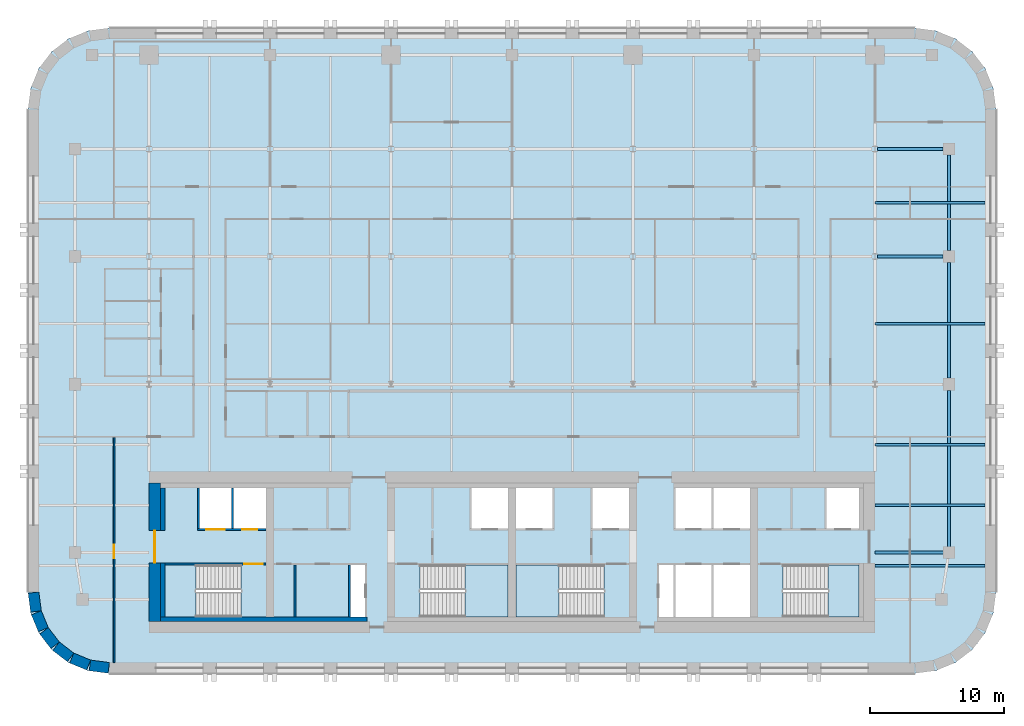
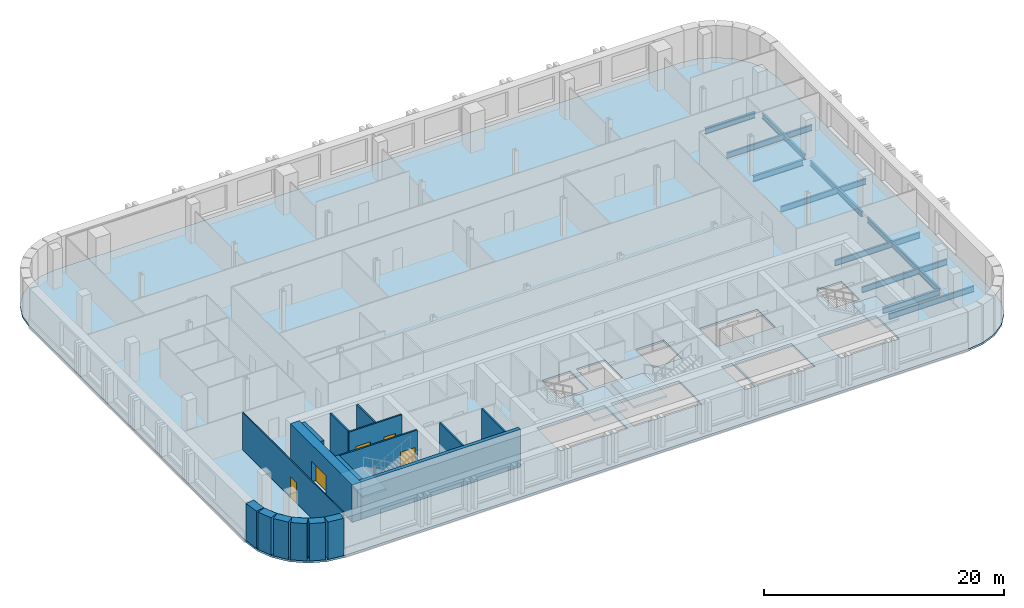
# One storey, part 2 of 9: 17 walls, 11 beams, 5 doors, 5 slabs, 5 openings, 4 elements without a shape of their own.
"""IFC4 building model written with IfcOpenShell, lengths in metres."""

from ifc_helpers import new_model, si_unit, direction, frame, frame_2d, origin, origin_2d, place, context, subcontext, project, spatial, polyline, rectangle, i_section, outline, extrude, material, layer, layer_set, material_profile, profile_set, type_object, element, fill, aggregate, save


model = new_model("IFC4")

# Units and contexts
model_context = context("Model", 3, precision=1e-05, world=origin(), true_north=direction((0.0, 1.0)))
body_context = subcontext(model_context, "Body", "Model", "MODEL_VIEW")
ifc_project = project(units=[si_unit("LENGTHUNIT", "METRE"), si_unit("AREAUNIT", "SQUARE_METRE"), si_unit("VOLUMEUNIT", "CUBIC_METRE"), si_unit("PLANEANGLEUNIT", "RADIAN"), si_unit("MASSUNIT", "GRAM", prefix="KILO")], contexts=[model_context])

# Site, building, storey
site_placement = place(None, origin())
site = spatial("IfcSite", under=ifc_project, at=site_placement, CompositionType="ELEMENT")
building_placement = place(site_placement, origin())
building = spatial("IfcBuilding", under=site, at=building_placement, Name="Zellij Exchange Tower", CompositionType="ELEMENT")
storey_placement = place(building_placement, frame((0.0, 0.0, 184.5)))
storey = spatial("IfcBuildingStorey", under=building, at=storey_placement, Name="L42", CompositionType="ELEMENT", Elevation=184.5)

# Beams
ifc_material_1 = material(Name="Structural steel ASTM A992 Gr 50", Category="steel")
ifc_material_profile_1 = material_profile(ifc_material_1, i_section(OverallWidth=0.177978515625, OverallDepth=0.599365234375, WebThickness=0.010009765625, FlangeThickness=0.012939453125, at=origin_2d()), Name="W24x55")
ifc_profile_set_1 = profile_set([ifc_material_profile_1], Name="Structural steel ASTM A992 Gr 50")
beam_type_1 = type_object("IfcBeamType", Name="STR-BEAM W24x55", PredefinedType="BEAM", material=ifc_profile_set_1)
for number, where, z_axis, x_axis, name in (
    (1, (27.0, -9.0, -0.499755859375), (1.0, 0.0, 0.0), (0.0, 1.0, 0.0), "B4"),
    (2, (27.0, -4.5, -0.499755859375), (1.0, 0.0, 0.0), (0.0, 1.0, 0.0), "B4"),
    (3, (27.0, 0.0, -0.499755859375), (1.0, 0.0, 0.0), (0.0, 1.0, 0.0), "B4"),
    (4, (27.0, 9.0, -0.499755859375), (1.0, 0.0, 0.0), (0.0, 1.0, 0.0), "B4"),
    (5, (27.0, 18.0, -0.499755859375), (1.0, 0.0, 0.0), (0.0, 1.0, 0.0), "B4"),
):
    element("IfcBeam", number, at=place(storey_placement, frame(where, z_axis=z_axis, x_axis=x_axis)), inside=storey, type_object=beam_type_1, Name=name, PredefinedType="BEAM", context=body_context, shape_type="SweptSolid", body=[
        extrude(i_section(OverallWidth=0.177978515625, OverallDepth=0.599365234375, WebThickness=0.010009765625, FlangeThickness=0.012939453125, at=origin_2d()), origin(), (0.0, 0.0, 1.0), 8.199951171875),
    ])
ifc_material_profile_2 = material_profile(ifc_material_1, i_section(OverallWidth=0.209228515625, OverallDepth=0.533447265625, WebThickness=0.01025390625, FlangeThickness=0.015625, at=origin_2d()), Name="W21x62")
ifc_profile_set_2 = profile_set([ifc_material_profile_2], Name="Structural steel ASTM A992 Gr 50")
beam_type_2 = type_object("IfcBeamType", Name="STR-EDGE GIRDER W21x62", PredefinedType="BEAM", material=ifc_profile_set_2)
beam_1_placement = place(storey_placement, frame((32.5, -8.0, -0.466796875), z_axis=(0.0, 1.0, 0.0), x_axis=(-1.0, 0.0, 0.0)))
element("IfcBeam", 6, at=beam_1_placement, inside=storey, type_object=beam_type_2, Name="EB3", PredefinedType="BEAM", context=body_context, shape_type="SweptSolid", body=[
    extrude(i_section(OverallWidth=0.209228515625, OverallDepth=0.533447265625, WebThickness=0.01025390625, FlangeThickness=0.015625, at=origin_2d()), origin(), (0.0, 0.0, 1.0), 12.050048828125),
])
beam_2_placement = place(storey_placement, frame((32.5, 4.949951171875, -0.466796875), z_axis=(0.0, 1.0, 0.0), x_axis=(-1.0, 0.0, 0.0)))
element("IfcBeam", 7, at=beam_2_placement, inside=storey, type_object=beam_type_2, Name="EB3", PredefinedType="BEAM", context=body_context, shape_type="SweptSolid", body=[
    extrude(i_section(OverallWidth=0.209228515625, OverallDepth=0.533447265625, WebThickness=0.01025390625, FlangeThickness=0.015625, at=origin_2d()), origin(), (0.0, 0.0, 1.0), 8.60009765625),
])
beam_3_placement = place(storey_placement, frame((32.5, 14.449951171875, -0.466796875), z_axis=(0.0, 1.0, 0.0), x_axis=(-1.0, 0.0, 0.0)))
element("IfcBeam", 8, at=beam_3_placement, inside=storey, type_object=beam_type_2, Name="EB3", PredefinedType="BEAM", context=body_context, shape_type="SweptSolid", body=[
    extrude(i_section(OverallWidth=0.209228515625, OverallDepth=0.533447265625, WebThickness=0.01025390625, FlangeThickness=0.015625, at=origin_2d()), origin(), (0.0, 0.0, 1.0), 7.10009765625),
])
ifc_material_profile_3 = material_profile(ifc_material_1, i_section(OverallWidth=0.228271484375, OverallDepth=0.607177734375, WebThickness=0.01123046875, FlangeThickness=0.017333984375, at=origin_2d()), Name="W24x76")
ifc_profile_set_3 = profile_set([ifc_material_profile_3], Name="Structural steel ASTM A992 Gr 50")
beam_type_3 = type_object("IfcBeamType", Name="STR-GIRDER W24x76", PredefinedType="BEAM", material=ifc_profile_set_3)
beam_4_placement = place(storey_placement, frame((27.0, -8.0, -0.50341796875), z_axis=(1.0, 0.0, 0.0), x_axis=(0.0, 1.0, 0.0)))
element("IfcBeam", 9, at=beam_4_placement, inside=storey, type_object=beam_type_3, Name="G2", PredefinedType="BEAM", context=body_context, shape_type="SweptSolid", body=[
    extrude(i_section(OverallWidth=0.228271484375, OverallDepth=0.607177734375, WebThickness=0.01123046875, FlangeThickness=0.017333984375, at=origin_2d()), origin(), (0.0, 0.0, 1.0), 5.5),
])
for number, where, z_axis, x_axis, name in (
    (10, (27.20458984375, 14.0, -0.50341796875), (1.0, 0.0, 0.0), (0.0, 1.0, 0.0), "G2"),
    (11, (27.20458984375, 22.0, -0.50341796875), (1.0, 0.0, 0.0), (0.0, 1.0, 0.0), "G2"),
):
    element("IfcBeam", number, at=place(storey_placement, frame(where, z_axis=z_axis, x_axis=x_axis)), inside=storey, type_object=beam_type_3, Name=name, PredefinedType="BEAM", context=body_context, shape_type="SweptSolid", body=[
        extrude(i_section(OverallWidth=0.228271484375, OverallDepth=0.607177734375, WebThickness=0.01123046875, FlangeThickness=0.017333984375, at=origin_2d()), origin(), (0.0, 0.0, 1.0), 4.845458984375),
    ])

# Stair, slab
ifc_material_2 = material(Name="Concrete C40/50", Category="concrete")
stair_type = type_object("IfcStairType", Name="CORE-ST exit stair 1850 wide", PredefinedType="HALF_TURN_STAIR", material=ifc_material_2)
stair_1_placement = place(storey_placement, origin())
stair_1 = element("IfcStair", 12, at=stair_1_placement, inside=storey, type_object=stair_type, Name="L42 exit stair ST1", PredefinedType="HALF_TURN_STAIR")
ifc_layer_1 = layer(ifc_material_2, 0.199951171875)
ifc_layer_set_1 = layer_set([ifc_layer_1], Name="Concrete C40/50")
slab_type_1 = type_object("IfcSlabType", Name="CORE-SL stair landing 200", PredefinedType="LANDING", material=ifc_layer_set_1)
slab_1_placement = place(storey_placement, frame((0.0, 0.0, 1.800048828125)))
slab_1 = element("IfcSlab", 13, at=slab_1_placement, type_object=slab_type_1, Name="ST1 landing 1", PredefinedType="LANDING", context=body_context, shape_type="SweptSolid", body=[
    extrude(outline(polyline([(-23.510009765625, -8.949951171875), (-25.800048828125, -8.949951171875), (-25.800048828125, -12.800048828125), (-23.510009765625, -12.800048828125), (-23.510009765625, -8.949951171875)])), origin(), (0.0, 0.0, 1.0), 0.199951171875),
])
aggregate(stair_1, [slab_1])

stair_2_placement = place(storey_placement, origin())
stair_2 = element("IfcStair", 14, at=stair_2_placement, inside=storey, type_object=stair_type, Name="L42 exit stair ST2", PredefinedType="HALF_TURN_STAIR")
slab_2_placement = place(storey_placement, frame((0.0, 0.0, 1.800048828125)))
slab_2 = element("IfcSlab", 15, at=slab_2_placement, type_object=slab_type_1, Name="ST2 landing 1", PredefinedType="LANDING", context=body_context, shape_type="SweptSolid", body=[
    extrude(outline(polyline([(-3.489990234375, -12.800048828125), (-0.300048828125, -12.800048828125), (-0.300048828125, -8.949951171875), (-3.489990234375, -8.949951171875), (-3.489990234375, -12.800048828125)])), origin(), (0.0, 0.0, 1.0), 0.199951171875),
])
aggregate(stair_2, [slab_2])

stair_3_placement = place(storey_placement, origin())
stair_3 = element("IfcStair", 16, at=stair_3_placement, inside=storey, type_object=stair_type, Name="L42 exit stair ST3", PredefinedType="HALF_TURN_STAIR")
slab_3_placement = place(storey_placement, frame((0.0, 0.0, 1.800048828125)))
slab_3 = element("IfcSlab", 17, at=slab_3_placement, type_object=slab_type_1, Name="ST3 landing 1", PredefinedType="LANDING", context=body_context, shape_type="SweptSolid", body=[
    extrude(outline(polyline([(3.489990234375, -8.949951171875), (0.300048828125, -8.949951171875), (0.300048828125, -12.800048828125), (3.489990234375, -12.800048828125), (3.489990234375, -8.949951171875)])), origin(), (0.0, 0.0, 1.0), 0.199951171875),
])
aggregate(stair_3, [slab_3])

stair_4_placement = place(storey_placement, origin())
stair_4 = element("IfcStair", 18, at=stair_4_placement, inside=storey, type_object=stair_type, Name="L42 exit stair ST4", PredefinedType="HALF_TURN_STAIR")
slab_4_placement = place(storey_placement, frame((0.0, 0.0, 1.800048828125)))
slab_4 = element("IfcSlab", 19, at=slab_4_placement, type_object=slab_type_1, Name="ST4 landing 1", PredefinedType="LANDING", context=body_context, shape_type="SweptSolid", body=[
    extrude(outline(polyline([(23.510009765625, -12.800048828125), (25.800048828125, -12.800048828125), (25.800048828125, -8.949951171875), (23.510009765625, -8.949951171875), (23.510009765625, -12.800048828125)])), origin(), (0.0, 0.0, 1.0), 0.199951171875),
])
aggregate(stair_4, [slab_4])

# Slab
ifc_layer_2 = layer(ifc_material_2, 0.199951171875)
ifc_layer_set_2 = layer_set([ifc_layer_2], Name="Concrete C40/50")
slab_type_2 = type_object("IfcSlabType", Name="STR-FLOOR SLAB 200 C40/50", PredefinedType="FLOOR", material=ifc_layer_set_2)
slab_5_placement = place(storey_placement, frame((0.0, 0.0, -0.2001953125)))
element("IfcSlab", 20, at=slab_5_placement, inside=storey, type_object=slab_type_2, Name="Floor L42", PredefinedType="FLOOR", context=body_context, shape_type="SweptSolid", body=[
    extrude(outline(polyline([(-30.0, -17.0), (-31.552978515625, -16.795654296875), (-33.0, -16.1962890625), (-34.24267578125, -15.24267578125), (-35.1962890625, -14.0), (-35.795654296875, -12.552978515625), (-36.0, -11.0), (-36.0, 25.0), (-35.795654296875, 26.552978515625), (-35.1962890625, 28.0), (-34.24267578125, 29.24267578125), (-33.0, 30.1962890625), (-31.552978515625, 30.795654296875), (-30.0, 31.0), (30.0, 31.0), (31.552978515625, 30.795654296875), (33.0, 30.1962890625), (34.24267578125, 29.24267578125), (35.1962890625, 28.0), (35.795654296875, 26.552978515625), (36.0, 25.0), (36.0, -11.0), (35.795654296875, -12.552978515625), (35.1962890625, -14.0), (34.24267578125, -15.24267578125), (33.0, -16.1962890625), (31.552978515625, -16.795654296875), (30.0, -17.0), (-30.0, -17.0)]), holes=[polyline([(-25.800048828125, -8.949951171875), (-25.800048828125, -12.800048828125), (-20.153076171875, -12.800048828125), (-20.153076171875, -8.949951171875), (-25.800048828125, -8.949951171875)]), polyline([(-10.949951171875, -8.949951171875), (-12.0, -8.949951171875), (-12.0, -12.800048828125), (-10.949951171875, -12.800048828125), (-10.949951171875, -8.949951171875)]), polyline([(-0.300048828125, -8.949951171875), (-6.846923828125, -8.949951171875), (-6.846923828125, -12.800048828125), (-0.300048828125, -12.800048828125), (-0.300048828125, -8.949951171875)]), polyline([(0.300048828125, -8.949951171875), (0.300048828125, -12.800048828125), (6.846923828125, -12.800048828125), (6.846923828125, -8.949951171875), (0.300048828125, -8.949951171875)]), polyline([(-18.300048828125, -3.199951171875), (-23.25, -3.199951171875), (-23.25, -6.22509765625), (-18.300048828125, -6.22509765625), (-18.300048828125, -3.199951171875)]), polyline([(-0.300048828125, -3.199951171875), (-3.0, -3.199951171875), (-3.0, -6.22509765625), (-0.300048828125, -6.22509765625), (-0.300048828125, -3.199951171875)]), polyline([(0.300048828125, -3.199951171875), (0.300048828125, -6.22509765625), (3.0, -6.22509765625), (3.0, -3.199951171875), (0.300048828125, -3.199951171875)]), polyline([(12.0, -8.949951171875), (10.949951171875, -8.949951171875), (10.949951171875, -12.800048828125), (12.0, -12.800048828125), (12.0, -8.949951171875)]), polyline([(17.699951171875, -8.949951171875), (12.14990234375, -8.949951171875), (12.14990234375, -12.800048828125), (17.699951171875, -12.800048828125), (17.699951171875, -8.949951171875)]), polyline([(25.800048828125, -8.949951171875), (20.153076171875, -8.949951171875), (20.153076171875, -12.800048828125), (25.800048828125, -12.800048828125), (25.800048828125, -8.949951171875)]), polyline([(8.699951171875, -3.199951171875), (6.0, -3.199951171875), (6.0, -6.22509765625), (8.699951171875, -6.22509765625), (8.699951171875, -3.199951171875)]), polyline([(17.699951171875, -3.199951171875), (12.14990234375, -3.199951171875), (12.14990234375, -6.22509765625), (17.699951171875, -6.22509765625), (17.699951171875, -3.199951171875)]), polyline([(25.800048828125, -3.199951171875), (23.39990234375, -3.199951171875), (23.39990234375, -6.22509765625), (25.800048828125, -6.22509765625), (25.800048828125, -3.199951171875)])]), origin(), (0.0, 0.0, 1.0), 0.2001953125),
])

# Walls
ifc_material_3 = material(Name="Concrete C30/37", Category="concrete")
ifc_layer_3 = layer(ifc_material_3, 0.35009765625)
ifc_layer_set_3 = layer_set([ifc_layer_3], Name="Concrete C30/37")
wall_type_1 = type_object("IfcWallType", Name="CORE-LW 350 C30/37", PredefinedType="SHEAR", material=ifc_layer_set_3)
wall_1_placement = place(storey_placement, frame((-26.14990234375, -12.97509765625, 0.0), z_axis=(0.0, 0.0, 1.0), x_axis=(1.0, 0.0, 0.0)))
element("IfcWall", 21, at=wall_1_placement, inside=storey, type_object=wall_type_1, Name="Core wall lining rear.0 L42", PredefinedType="SHEAR", context=body_context, shape_type="SweptSolid", body=[
    extrude(rectangle(XDim=15.349853515625, YDim=0.35009765625, at=frame_2d((7.6748046875, 0.0))), origin(), (0.0, 0.0, 1.0), 3.800048828125),
])
wall_2_placement = place(storey_placement, frame((-25.97509765625, -12.800048828125, 0.0), z_axis=(0.0, 0.0, 1.0), x_axis=(0.0, 1.0, 0.0)))
element("IfcWall", 22, at=wall_2_placement, inside=storey, type_object=wall_type_1, Name="Core wall lining end w.0 L42", PredefinedType="SHEAR", context=body_context, shape_type="SweptSolid", body=[
    extrude(rectangle(XDim=4.0, YDim=0.35009765625, at=frame_2d((2.0, 0.0))), origin(), (0.0, 0.0, 1.0), 3.800048828125),
])
wall_3_placement = place(storey_placement, frame((-25.97509765625, -6.375, 0.0), z_axis=(0.0, 0.0, 1.0), x_axis=(0.0, 1.0, 0.0)))
element("IfcWall", 23, at=wall_3_placement, inside=storey, type_object=wall_type_1, Name="Core wall lining end w.1 L42", PredefinedType="SHEAR", context=body_context, shape_type="SweptSolid", body=[
    extrude(rectangle(XDim=3.175048828125, YDim=0.35009765625, at=frame_2d((1.58740234375, 0.0))), origin(), (0.0, 0.0, 1.0), 3.800048828125),
])
ifc_material_4 = material(Name="Gypsum board partition")
ifc_layer_4 = layer(ifc_material_4, 0.14990234375)
ifc_layer_set_4 = layer_set([ifc_layer_4], Name="Gypsum board partition")
wall_type_2 = type_object("IfcWallType", Name="CORE-PW 150 Lift lobby wall", PredefinedType="PARTITIONING", material=ifc_layer_set_4)
for number, where, z_axis, x_axis, name in (
    (24, (-12.074951171875, -12.800048828125, 0.0), (0.0, 0.0, 1.0), (0.0, 1.0, 0.0), "Lift lobby wall L42"),
    (25, (-16.125, -12.800048828125, 0.0), (0.0, 0.0, 1.0), (0.0, 1.0, 0.0), "Lift lobby wall L42"),
):
    element("IfcWall", number, at=place(storey_placement, frame(where, z_axis=z_axis, x_axis=x_axis)), inside=storey, type_object=wall_type_2, Name=name, PredefinedType="PARTITIONING", context=body_context, shape_type="SweptSolid", body=[
        extrude(rectangle(XDim=3.85009765625, YDim=0.14990234375, at=frame_2d((1.925048828125, 0.0))), origin(), (0.0, 0.0, 1.0), 3.800048828125),
    ])
ifc_material_5 = material(Name="Gypsum shaft wall system")
ifc_layer_5 = layer(ifc_material_5, 0.14990234375)
ifc_layer_set_5 = layer_set([ifc_layer_5], Name="Gypsum shaft wall system")
wall_type_3 = type_object("IfcWallType", Name="CORE-PW 150 Lift shaft wall", PredefinedType="PARTITIONING", material=ifc_layer_set_5)
for number, where, z_axis, x_axis, name in (
    (26, (-20.77490234375, -6.22509765625, 0.0), (0.0, 0.0, 1.0), (0.0, 1.0, 0.0), "Lift shaft wall L42"),
    (27, (-23.324951171875, -6.22509765625, 0.0), (0.0, 0.0, 1.0), (0.0, 1.0, 0.0), "Lift shaft wall L42"),
):
    element("IfcWall", number, at=place(storey_placement, frame(where, z_axis=z_axis, x_axis=x_axis)), inside=storey, type_object=wall_type_3, Name=name, PredefinedType="PARTITIONING", context=body_context, shape_type="SweptSolid", body=[
        extrude(rectangle(XDim=3.025146484375, YDim=0.14990234375, at=frame_2d((1.5126953125, 0.0))), origin(), (0.0, 0.0, 1.0), 3.800048828125),
    ])

# Wall, openings, doors
wall_4_placement = place(storey_placement, frame((-23.39990234375, -6.300048828125, 0.0), z_axis=(0.0, 0.0, 1.0), x_axis=(1.0, 0.0, 0.0)))
wall_4 = element("IfcWall", 28, at=wall_4_placement, inside=storey, type_object=wall_type_3, Name="Lift shaft wall L42", PredefinedType="PARTITIONING", context=body_context, shape_type="SweptSolid", body=[
    extrude(rectangle(XDim=5.099853515625, YDim=0.14990234375, at=frame_2d((2.5498046875, 0.0))), origin(), (0.0, 0.0, 1.0), 3.800048828125),
])
opening_1_placement = place(wall_4_placement, frame((0.64990234375, 0.0, 0.0)))
opening_1 = element("IfcOpeningElement", 29, at=opening_1_placement, cuts=wall_4, Name="Opening CA-23.02", PredefinedType="OPENING", context=body_context, shape_type="SweptSolid", body=[
    extrude(rectangle(XDim=1.39990234375, YDim=2.10009765625, at=frame_2d((0.699951171875, 1.050048828125))), frame((0.0, 0.0869140625, 0.0), z_axis=(0.0, -1.0, 0.0), x_axis=(1.0, 0.0, 0.0)), (0.0, 0.0, 1.0), 0.173828125),
])
opening_2_placement = place(wall_4_placement, frame((3.35009765625, 0.0, 0.0)))
opening_2 = element("IfcOpeningElement", 30, at=opening_2_placement, cuts=wall_4, Name="Opening CA-23.03", PredefinedType="OPENING", context=body_context, shape_type="SweptSolid", body=[
    extrude(rectangle(XDim=1.10009765625, YDim=2.10009765625, at=frame_2d((0.550048828125, 1.050048828125))), frame((0.0, 0.0869140625, 0.0), z_axis=(0.0, -1.0, 0.0), x_axis=(1.0, 0.0, 0.0)), (0.0, 0.0, 1.0), 0.173828125),
])
ifc_material_6 = material(Name="Hollow metal fire door")
door_type_1 = type_object("IfcDoorType", Name="CORE-D LD Lift landing door 1100x2100 1.5 HR", OperationType="NOTDEFINED", PredefinedType="DOOR", material=ifc_material_6)
door_1_placement = place(opening_2_placement, origin())
door_1 = element("IfcDoor", 31, at=door_1_placement, inside=storey, type_object=door_type_1, Name="Lift landing door CA-23.03", OperationType="SLIDING_TO_LEFT", OverallHeight=2.10009765625, OverallWidth=1.10009765625, PredefinedType="DOOR", context=body_context, shape_type="SweptSolid", body=[
    extrude(rectangle(XDim=1.10009765625, YDim=2.10009765625, at=frame_2d((0.550048828125, 1.050048828125))), frame((0.0, 0.02490234375, 0.0), z_axis=(0.0, -1.0, 0.0), x_axis=(1.0, 0.0, 0.0)), (0.0, 0.0, 1.0), 0.050048828125),
])
fill(opening_2, door_1)
door_type_2 = type_object("IfcDoorType", Name="CORE-D LD2 Service lift landing door 1400x2100 1.5 HR", OperationType="NOTDEFINED", PredefinedType="DOOR", material=ifc_material_6)
door_2_placement = place(opening_1_placement, origin())
door_2 = element("IfcDoor", 32, at=door_2_placement, inside=storey, type_object=door_type_2, Name="Service lift landing door CA-23.02", OperationType="SLIDING_TO_RIGHT", OverallHeight=2.10009765625, OverallWidth=1.39990234375, PredefinedType="DOOR", context=body_context, shape_type="SweptSolid", body=[
    extrude(rectangle(XDim=1.39990234375, YDim=2.10009765625, at=frame_2d((0.699951171875, 1.050048828125))), frame((0.0, 0.02490234375, 0.0), z_axis=(0.0, -1.0, 0.0), x_axis=(1.0, 0.0, 0.0)), (0.0, 0.0, 1.0), 0.050048828125),
])
fill(opening_1, door_2)

# Wall, opening, door
ifc_material_7 = material(Name="Concrete C60/75", Category="concrete")
ifc_layer_6 = layer(ifc_material_7, 0.85009765625)
ifc_layer_set_6 = layer_set([ifc_layer_6], Name="Concrete C60/75")
wall_type_4 = type_object("IfcWallType", Name="CORE-SW 850 C60/75", PredefinedType="SHEAR", material=ifc_layer_set_6)
wall_5_placement = place(storey_placement, frame((-26.574951171875, -13.14990234375, 0.0), z_axis=(0.0, 0.0, 1.0), x_axis=(0.0, 1.0, 0.0)))
wall_5 = element("IfcWall", 33, at=wall_5_placement, inside=storey, type_object=wall_type_4, Name="Core shear wall end w L42", PredefinedType="SHEAR", context=body_context, shape_type="SweptSolid", body=[
    extrude(rectangle(XDim=10.2998046875, YDim=0.85009765625, at=frame_2d((5.14990234375, 0.0))), origin(), (0.0, 0.0, 1.0), 3.800048828125),
])
opening_3_placement = place(wall_5_placement, frame((4.362060546875, 0.0, 0.0)))
opening_3 = element("IfcOpeningElement", 34, at=opening_3_placement, cuts=wall_5, Name="Opening CA-23.01", PredefinedType="OPENING", context=body_context, shape_type="SweptSolid", body=[
    extrude(rectangle(XDim=2.39990234375, YDim=2.10009765625, at=frame_2d((1.199951171875, 1.050048828125))), frame((0.0, 0.43701171875, 0.0), z_axis=(0.0, -1.0, 0.0), x_axis=(1.0, 0.0, 0.0)), (0.0, 0.0, 1.0), 0.8740234375),
])
door_type_3 = type_object("IfcDoorType", Name="CORE-D CE Core entrance door 2400x2100 20 MIN", OperationType="NOTDEFINED", PredefinedType="DOOR", material=ifc_material_6)
door_3_placement = place(opening_3_placement, origin())
door_3 = element("IfcDoor", 35, at=door_3_placement, inside=storey, type_object=door_type_3, Name="Core entrance door CA-23.01", OperationType="DOUBLE_DOOR_SINGLE_SWING", OverallHeight=2.10009765625, OverallWidth=2.39990234375, PredefinedType="DOOR", context=body_context, shape_type="SweptSolid", body=[
    extrude(rectangle(XDim=2.39990234375, YDim=2.10009765625, at=frame_2d((1.199951171875, 1.050048828125))), frame((0.0, 0.02490234375, 0.0), z_axis=(0.0, -1.0, 0.0), x_axis=(1.0, 0.0, 0.0)), (0.0, 0.0, 1.0), 0.050048828125),
])
fill(opening_3, door_3)

ifc_layer_7 = layer(ifc_material_7, 0.14990234375)
ifc_layer_set_7 = layer_set([ifc_layer_7], Name="Concrete C60/75")
wall_type_5 = type_object("IfcWallType", Name="CORE-SWS 150 C60/75", PredefinedType="SHEAR", material=ifc_layer_set_7)
wall_6_placement = place(storey_placement, frame((-25.800048828125, -8.875, 0.0), z_axis=(0.0, 0.0, 1.0), x_axis=(1.0, 0.0, 0.0)))
wall_6 = element("IfcWall", 36, at=wall_6_placement, inside=storey, type_object=wall_type_5, Name="Stair enclosure wall L42", PredefinedType="SHEAR", context=body_context, shape_type="SweptSolid", body=[
    extrude(rectangle(XDim=7.5, YDim=0.14990234375, at=frame_2d((3.75, 0.0))), origin(), (0.0, 0.0, 1.0), 3.800048828125),
])
opening_4_placement = place(wall_6_placement, frame((5.875, 0.0, 0.0)))
opening_4 = element("IfcOpeningElement", 37, at=opening_4_placement, cuts=wall_6, Name="Opening CA-23.04", PredefinedType="OPENING", context=body_context, shape_type="SweptSolid", body=[
    extrude(rectangle(XDim=1.39990234375, YDim=2.10009765625, at=frame_2d((0.699951171875, 1.050048828125))), frame((0.0, 0.0869140625, 0.0), z_axis=(0.0, -1.0, 0.0), x_axis=(1.0, 0.0, 0.0)), (0.0, 0.0, 1.0), 0.173828125),
])
door_type_4 = type_object("IfcDoorType", Name="CORE-D SD Stair door 1400x2100 1.5 HR", OperationType="NOTDEFINED", PredefinedType="DOOR", material=ifc_material_6)
door_4_placement = place(opening_4_placement, origin())
door_4 = element("IfcDoor", 38, at=door_4_placement, inside=storey, type_object=door_type_4, Name="Stair door CA-23.04", OperationType="DOUBLE_DOOR_SINGLE_SWING", OverallHeight=2.10009765625, OverallWidth=1.39990234375, PredefinedType="DOOR", context=body_context, shape_type="SweptSolid", body=[
    extrude(rectangle(XDim=1.39990234375, YDim=2.10009765625, at=frame_2d((0.699951171875, 1.050048828125))), frame((0.0, 0.02490234375, 0.0), z_axis=(0.0, -1.0, 0.0), x_axis=(1.0, 0.0, 0.0)), (0.0, 0.0, 1.0), 0.050048828125),
])
fill(opening_4, door_4)

# Walls
ifc_material_8 = material(Name="Precast concrete C40/50", Category="concrete")
ifc_layer_8 = layer(ifc_material_8, 0.800048828125)
ifc_layer_set_8 = layer_set([ifc_layer_8], Name="Precast concrete C40/50")
wall_type_6 = type_object("IfcWallType", Name="ENV-EW1 Precast stone-piered wall 800", PredefinedType="SOLIDWALL", material=ifc_layer_set_8)
wall_7_placement = place(storey_placement, frame((-35.5966796875, -10.999755859375, 0.0), z_axis=(0.0, 0.0, 1.0), x_axis=(0.130517283865, -0.99144603414, 0.0)))
element("IfcWall", 39, at=wall_7_placement, inside=storey, type_object=wall_type_6, Name="fac.L42.22", PredefinedType="SOLIDWALL", context=body_context, shape_type="SweptSolid", body=[
    extrude(rectangle(XDim=1.408447265625, YDim=0.800048828125, at=frame_2d((0.7041015625, 0.0))), origin(), (0.0, 0.0, 1.0), 3.800048828125),
])
wall_8_placement = place(storey_placement, frame((-35.3857421875, -12.497314453125, 0.0), z_axis=(0.0, 0.0, 1.0), x_axis=(0.38276009378, -0.923847774587, 0.0)))
element("IfcWall", 40, at=wall_8_placement, inside=storey, type_object=wall_type_6, Name="fac.L42.23", PredefinedType="SOLIDWALL", context=body_context, shape_type="SweptSolid", body=[
    extrude(rectangle(XDim=1.35546875, YDim=0.800048828125, at=frame_2d((0.677734375, 0.0))), origin(), (0.0, 0.0, 1.0), 3.800048828125),
])
for number, where, z_axis, x_axis, name in (
    (41, (-34.814697265625, -13.840087890625, 0.0), (0.0, 0.0, 1.0), (0.608866226366, -0.793272915452, 0.0), "fac.L42.24"),
    (42, (-33.91552734375, -14.9892578125, 0.0), (0.0, 0.0, 1.0), (0.793272915452, -0.608866226366, 0.0), "fac.L42.25"),
):
    element("IfcWall", number, at=place(storey_placement, frame(where, z_axis=z_axis, x_axis=x_axis)), inside=storey, type_object=wall_type_6, Name=name, PredefinedType="SOLIDWALL", context=body_context, shape_type="SweptSolid", body=[
        extrude(rectangle(XDim=1.355712890625, YDim=0.800048828125, at=frame_2d((0.677734375, 0.0))), origin(), (0.0, 0.0, 1.0), 3.800048828125),
    ])
wall_9_placement = place(storey_placement, frame((-32.74951171875, -15.866943359375, 0.0), z_axis=(0.0, 0.0, 1.0), x_axis=(0.923847774587, -0.38276009378, 0.0)))
element("IfcWall", 43, at=wall_9_placement, inside=storey, type_object=wall_type_6, Name="fac.L42.26", PredefinedType="SOLIDWALL", context=body_context, shape_type="SweptSolid", body=[
    extrude(rectangle(XDim=1.35546875, YDim=0.800048828125, at=frame_2d((0.677734375, 0.0))), origin(), (0.0, 0.0, 1.0), 3.800048828125),
])
wall_10_placement = place(storey_placement, frame((-31.396240234375, -16.412841796875, 0.0), z_axis=(0.0, 0.0, 1.0), x_axis=(0.99144603414, -0.130517283865, 0.0)))
element("IfcWall", 44, at=wall_10_placement, inside=storey, type_object=wall_type_6, Name="fac.L42.27", PredefinedType="SOLIDWALL", context=body_context, shape_type="SweptSolid", body=[
    extrude(rectangle(XDim=1.408447265625, YDim=0.800048828125, at=frame_2d((0.7041015625, 0.0))), origin(), (0.0, 0.0, 1.0), 3.800048828125),
])

# Wall, opening, door
ifc_material_9 = material(Name="Gypsum board partition on steel studs", Category="steel")
ifc_layer_9 = layer(ifc_material_9, 0.10009765625)
ifc_layer_set_9 = layer_set([ifc_layer_9], Name="Gypsum board partition on steel studs")
wall_type_7 = type_object("IfcWallType", Name="FIT-PARTITION-100", PredefinedType="PARTITIONING", material=ifc_layer_set_9)
wall_11_placement = place(storey_placement, frame((-29.60009765625, -16.199951171875, 0.0), z_axis=(0.0, 0.0, 1.0), x_axis=(0.0, 1.0, 0.0)))
wall_11 = element("IfcWall", 45, at=wall_11_placement, inside=storey, type_object=wall_type_7, Name="FIT-PARTITION-100 001", PredefinedType="PARTITIONING", context=body_context, shape_type="SweptSolid", body=[
    extrude(rectangle(XDim=16.75, YDim=0.10009765625, at=frame_2d((8.375, 0.0))), origin(), (0.0, 0.0, 1.0), 3.800048828125),
])
opening_5_placement = place(wall_11_placement, frame((7.75, 0.0, 0.0)))
opening_5 = element("IfcOpeningElement", 46, at=opening_5_placement, cuts=wall_11, Name="Opening O3B.01", PredefinedType="OPENING", context=body_context, shape_type="SweptSolid", body=[
    extrude(rectangle(XDim=1.0, YDim=2.10009765625, at=frame_2d((0.5, 1.050048828125))), frame((0.0, 0.06201171875, 0.0), z_axis=(0.0, -1.0, 0.0), x_axis=(1.0, 0.0, 0.0)), (0.0, 0.0, 1.0), 0.1240234375),
])
ifc_material_10 = material(Name="Timber door set", Category="wood")
door_type_5 = type_object("IfcDoorType", Name="FIT-D2-WIDE-1000X2100", OperationType="SINGLE_SWING_LEFT", PredefinedType="DOOR", material=ifc_material_10)
door_5_placement = place(opening_5_placement, origin())
door_5 = element("IfcDoor", 47, at=door_5_placement, inside=storey, type_object=door_type_5, Name="Door O3B.01", OperationType="SINGLE_SWING_RIGHT", OverallHeight=2.10009765625, OverallWidth=1.0, PredefinedType="DOOR", context=body_context, shape_type="SweptSolid", body=[
    extrude(rectangle(XDim=1.0, YDim=2.10009765625, at=frame_2d((0.5, 1.050048828125))), frame((0.0, 0.02490234375, 0.0), z_axis=(0.0, -1.0, 0.0), x_axis=(1.0, 0.0, 0.0)), (0.0, 0.0, 1.0), 0.050048828125),
])
fill(opening_5, door_5)

save(model, "model.ifc")
